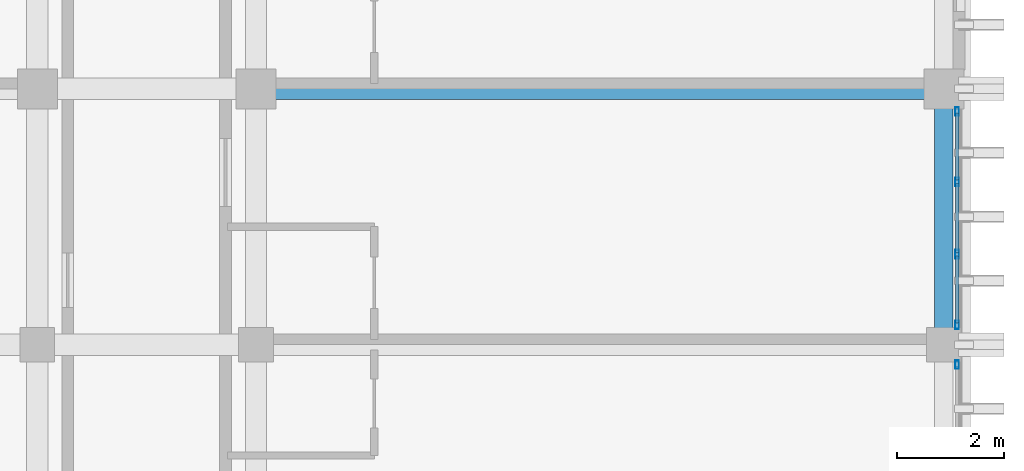
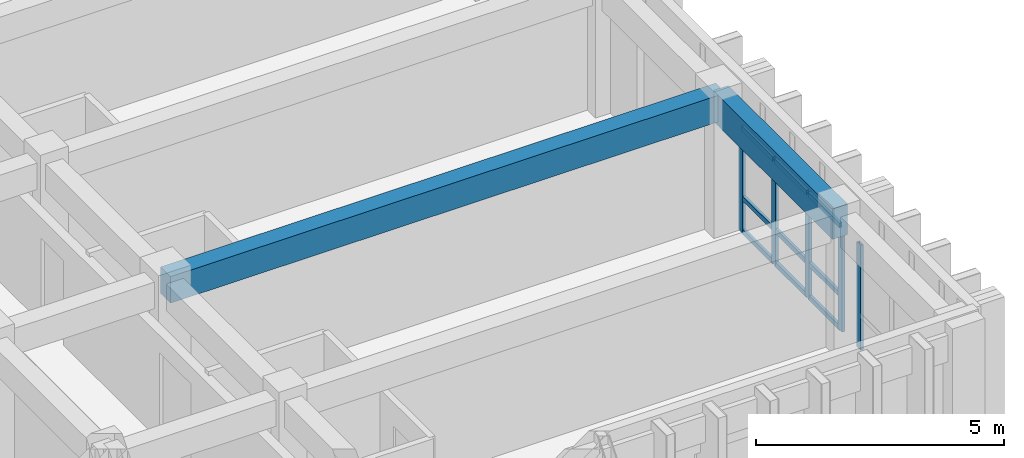
# One storey, part 8 of 64: 14 members, 2 beams, 2 elements without a shape of their own.
"""IFC4 building model written with IfcOpenShell, lengths in metres."""

from ifc_helpers import new_model, si_unit, direction, frame, origin, origin_2d, place, context, subcontext, project, spatial, rectangle, hollow_rectangle, extrude, material, layer, layer_set, material_profile, profile_set, type_object, element, aggregate, save


model = new_model("IFC4")

# Units and contexts
model_context = context("Model", 3, precision=1e-05, world=origin(), true_north=direction((0.0, 1.0)))
body_context = subcontext(model_context, "Body", "Model", "MODEL_VIEW")
ifc_project = project(units=[si_unit("LENGTHUNIT", "METRE"), si_unit("AREAUNIT", "SQUARE_METRE"), si_unit("VOLUMEUNIT", "CUBIC_METRE"), si_unit("PLANEANGLEUNIT", "RADIAN"), si_unit("MASSUNIT", "GRAM", prefix="KILO")], contexts=[model_context])

# Site, building, storey
site_placement = place(None, origin())
site = spatial("IfcSite", under=ifc_project, at=site_placement, CompositionType="ELEMENT")
building_placement = place(site_placement, origin())
building = spatial("IfcBuilding", under=site, at=building_placement, Name="Nakhvara Creek Congress Hotel", CompositionType="ELEMENT")
storey_placement = place(building_placement, frame((0.0, 0.0, 28.199951171875)))
storey = spatial("IfcBuildingStorey", under=building, at=storey_placement, Name="L06", CompositionType="ELEMENT", Elevation=28.199951171875)

# Beams
ifc_material_1 = material(Name="Concrete C40/50", Category="concrete")
ifc_material_profile_1 = material_profile(ifc_material_1, rectangle(XDim=0.39990234375, YDim=0.64990234375, at=origin_2d()), Name="RC-BM 400x650", Category="LoadBearing")
ifc_profile_set_1 = profile_set([ifc_material_profile_1], Name="Concrete C40/50")
beam_type_1 = type_object("IfcBeamType", Name="BM-RC-400X650", PredefinedType="BEAM", material=ifc_profile_set_1)
beam_1_placement = place(storey_placement, frame((166.449951171875, 48.0, 3.01513671875), z_axis=(1.0, 0.0, 0.0), x_axis=(0.0, 1.0, 0.0)))
element("IfcBeam", 1, at=beam_1_placement, inside=storey, type_object=beam_type_1, Name="Beam B06-L06-2249", PredefinedType="BEAM", context=body_context, shape_type="SweptSolid", body=[
    extrude(rectangle(XDim=0.39990234375, YDim=0.64990234375, at=origin_2d()), origin(), (0.0, 0.0, 1.0), 12.900146484375),
])
ifc_material_profile_2 = material_profile(ifc_material_1, rectangle(XDim=0.35009765625, YDim=0.75, at=origin_2d()), Name="RC-SPANDREL 350x750", Category="LoadBearing")
ifc_profile_set_2 = profile_set([ifc_material_profile_2], Name="Concrete C40/50")
beam_type_2 = type_object("IfcBeamType", Name="BM-SPN-350X750", PredefinedType="SPANDREL", material=ifc_profile_set_2)
beam_2_placement = place(storey_placement, frame((179.35009765625, 43.199951171875, 2.965087890625), z_axis=(0.0, 1.0, 0.0), x_axis=(-1.0, 0.0, 0.0)))
element("IfcBeam", 2, at=beam_2_placement, inside=storey, type_object=beam_type_2, Name="Beam SP1-L06-2276", PredefinedType="SPANDREL", context=body_context, shape_type="SweptSolid", body=[
    extrude(rectangle(XDim=0.35009765625, YDim=0.75, at=origin_2d()), origin(), (0.0, 0.0, 1.0), 4.800048828125),
])

# Curtain wall, member
ifc_material_2 = material(Name="Bronze-anodised aluminium AW-6063-T6 and double-silver low-E glass", Category="aluminium")
ifc_layer = layer(ifc_material_2, 0.199951171875)
ifc_layer_set = layer_set([ifc_layer], Name="Bronze-anodised aluminium AW-6063-T6 and double-silver low-E glass")
curtain_wall_type = type_object("IfcCurtainWallType", Name="CW-HTL-UNIT", PredefinedType="USERDEFINED", material=ifc_layer_set)
curtain_wall_1_placement = place(storey_placement, origin())
curtain_wall_1 = element("IfcCurtainWall", 3, at=curtain_wall_1_placement, inside=storey, type_object=curtain_wall_type, Name="Curtain Wall CW229", ObjectType="UNITISED", PredefinedType="USERDEFINED")
ifc_material_3 = material(Name="Bronze-anodised aluminium AW-6063-T6", Category="aluminium")
ifc_material_profile_3 = material_profile(ifc_material_3, hollow_rectangle(XDim=0.06494140625, YDim=0.159912109375, WallThickness=0.00390625, at=origin_2d()), Name="ALU-MULL 65x160x4", Category="LoadBearing")
ifc_profile_set_3 = profile_set([ifc_material_profile_3], Name="Bronze-anodised aluminium AW-6063-T6")
member_type_1 = type_object("IfcMemberType", Name="CW-MULL-160", PredefinedType="MULLION", material=ifc_profile_set_3)
member_1_placement = place(storey_placement, frame((179.60009765625, 42.827392578125, 0.0), z_axis=(0.0, 0.0, 1.0), x_axis=(1.0, 0.0, 0.0)))
member_1 = element("IfcMember", 4, at=member_1_placement, type_object=member_type_1, Name="CW229 mullion 1", PredefinedType="MULLION", context=body_context, shape_type="SweptSolid", body=[
    extrude(hollow_rectangle(XDim=0.06494140625, YDim=0.159912109375, WallThickness=0.00390625, at=origin_2d()), origin(), (0.0, 0.0, 1.0), 2.58203125),
])
aggregate(curtain_wall_1, [member_1])

# Curtain wall, members
curtain_wall_2_placement = place(storey_placement, origin())
curtain_wall_2 = element("IfcCurtainWall", 5, at=curtain_wall_2_placement, inside=storey, type_object=curtain_wall_type, Name="Curtain Wall CW231", ObjectType="UNITISED", PredefinedType="USERDEFINED")
member_2_placement = place(storey_placement, frame((179.60009765625, 47.577392578125, 0.0), z_axis=(0.0, 0.0, 1.0), x_axis=(1.0, 0.0, 0.0)))
member_2 = element("IfcMember", 6, at=member_2_placement, type_object=member_type_1, Name="CW231 mullion 1", PredefinedType="MULLION", context=body_context, shape_type="SweptSolid", body=[
    extrude(hollow_rectangle(XDim=0.06494140625, YDim=0.159912109375, WallThickness=0.00390625, at=origin_2d()), origin(), (0.0, 0.0, 1.0), 2.58203125),
])
member_3_placement = place(storey_placement, frame((179.60009765625, 46.25341796875, 0.0), z_axis=(0.0, 0.0, 1.0), x_axis=(1.0, 0.0, 0.0)))
member_3 = element("IfcMember", 7, at=member_3_placement, type_object=member_type_1, Name="CW231 mullion 2", PredefinedType="MULLION", context=body_context, shape_type="SweptSolid", body=[
    extrude(hollow_rectangle(XDim=0.06494140625, YDim=0.159912109375, WallThickness=0.00390625, at=origin_2d()), origin(), (0.0, 0.0, 1.0), 2.58203125),
])
member_4_placement = place(storey_placement, frame((179.60009765625, 44.896728515625, 0.0), z_axis=(0.0, 0.0, 1.0), x_axis=(1.0, 0.0, 0.0)))
member_4 = element("IfcMember", 8, at=member_4_placement, type_object=member_type_1, Name="CW231 mullion 3", PredefinedType="MULLION", context=body_context, shape_type="SweptSolid", body=[
    extrude(hollow_rectangle(XDim=0.06494140625, YDim=0.159912109375, WallThickness=0.00390625, at=origin_2d()), origin(), (0.0, 0.0, 1.0), 2.58203125),
])
member_5_placement = place(storey_placement, frame((179.60009765625, 43.572509765625, 0.0), z_axis=(0.0, 0.0, 1.0), x_axis=(1.0, 0.0, 0.0)))
member_5 = element("IfcMember", 9, at=member_5_placement, type_object=member_type_1, Name="CW231 mullion 4", PredefinedType="MULLION", context=body_context, shape_type="SweptSolid", body=[
    extrude(hollow_rectangle(XDim=0.06494140625, YDim=0.159912109375, WallThickness=0.00390625, at=origin_2d()), origin(), (0.0, 0.0, 1.0), 2.58203125),
])
ifc_material_profile_4 = material_profile(ifc_material_3, hollow_rectangle(XDim=0.06494140625, YDim=0.1201171875, WallThickness=0.00390625, at=origin_2d()), Name="ALU-TRAN 65x120x4", Category="LoadBearing")
ifc_profile_set_4 = profile_set([ifc_material_profile_4], Name="Bronze-anodised aluminium AW-6063-T6")
member_type_2 = type_object("IfcMemberType", Name="CW-TRAN-120", PredefinedType="USERDEFINED", material=ifc_profile_set_4)
member_6_placement = place(storey_placement, frame((179.60009765625, 47.544921875, 0.032470703125), z_axis=(0.0, -1.0, 0.0), x_axis=(1.0, 0.0, 0.0)))
member_6 = element("IfcMember", 10, at=member_6_placement, type_object=member_type_2, Name="CW231 transom 1.1", ObjectType="TRANSOM", PredefinedType="USERDEFINED", context=body_context, shape_type="SweptSolid", body=[
    extrude(hollow_rectangle(XDim=0.06494140625, YDim=0.1201171875, WallThickness=0.00390625, at=origin_2d()), origin(), (0.0, 0.0, 1.0), 1.259033203125),
])
member_7_placement = place(storey_placement, frame((179.60009765625, 47.544921875, 0.85009765625), z_axis=(0.0, -1.0, 0.0), x_axis=(1.0, 0.0, 0.0)))
member_7 = element("IfcMember", 11, at=member_7_placement, type_object=member_type_2, Name="CW231 transom 1.2", ObjectType="TRANSOM", PredefinedType="USERDEFINED", context=body_context, shape_type="SweptSolid", body=[
    extrude(hollow_rectangle(XDim=0.06494140625, YDim=0.1201171875, WallThickness=0.00390625, at=origin_2d()), origin(), (0.0, 0.0, 1.0), 1.259033203125),
])
member_8_placement = place(storey_placement, frame((179.60009765625, 47.544921875, 2.549560546875), z_axis=(0.0, -1.0, 0.0), x_axis=(1.0, 0.0, 0.0)))
member_8 = element("IfcMember", 12, at=member_8_placement, type_object=member_type_2, Name="CW231 transom 1.3", ObjectType="TRANSOM", PredefinedType="USERDEFINED", context=body_context, shape_type="SweptSolid", body=[
    extrude(hollow_rectangle(XDim=0.06494140625, YDim=0.1201171875, WallThickness=0.00390625, at=origin_2d()), origin(), (0.0, 0.0, 1.0), 1.259033203125),
])
member_9_placement = place(storey_placement, frame((179.60009765625, 46.220947265625, 0.032470703125), z_axis=(0.0, -1.0, 0.0), x_axis=(1.0, 0.0, 0.0)))
member_9 = element("IfcMember", 13, at=member_9_placement, type_object=member_type_2, Name="CW231 transom 2.1", ObjectType="TRANSOM", PredefinedType="USERDEFINED", context=body_context, shape_type="SweptSolid", body=[
    extrude(hollow_rectangle(XDim=0.06494140625, YDim=0.1201171875, WallThickness=0.00390625, at=origin_2d()), origin(), (0.0, 0.0, 1.0), 1.291748046875),
])
member_10_placement = place(storey_placement, frame((179.60009765625, 46.220947265625, 0.85009765625), z_axis=(0.0, -1.0, 0.0), x_axis=(1.0, 0.0, 0.0)))
member_10 = element("IfcMember", 14, at=member_10_placement, type_object=member_type_2, Name="CW231 transom 2.2", ObjectType="TRANSOM", PredefinedType="USERDEFINED", context=body_context, shape_type="SweptSolid", body=[
    extrude(hollow_rectangle(XDim=0.06494140625, YDim=0.1201171875, WallThickness=0.00390625, at=origin_2d()), origin(), (0.0, 0.0, 1.0), 1.291748046875),
])
member_11_placement = place(storey_placement, frame((179.60009765625, 46.220947265625, 2.549560546875), z_axis=(0.0, -1.0, 0.0), x_axis=(1.0, 0.0, 0.0)))
member_11 = element("IfcMember", 15, at=member_11_placement, type_object=member_type_2, Name="CW231 transom 2.3", ObjectType="TRANSOM", PredefinedType="USERDEFINED", context=body_context, shape_type="SweptSolid", body=[
    extrude(hollow_rectangle(XDim=0.06494140625, YDim=0.1201171875, WallThickness=0.00390625, at=origin_2d()), origin(), (0.0, 0.0, 1.0), 1.291748046875),
])
member_12_placement = place(storey_placement, frame((179.60009765625, 44.8642578125, 0.032470703125), z_axis=(0.0, -1.0, 0.0), x_axis=(1.0, 0.0, 0.0)))
member_12 = element("IfcMember", 16, at=member_12_placement, type_object=member_type_2, Name="CW231 transom 3.1", ObjectType="TRANSOM", PredefinedType="USERDEFINED", context=body_context, shape_type="SweptSolid", body=[
    extrude(hollow_rectangle(XDim=0.06494140625, YDim=0.1201171875, WallThickness=0.00390625, at=origin_2d()), origin(), (0.0, 0.0, 1.0), 1.25927734375),
])
member_13_placement = place(storey_placement, frame((179.60009765625, 44.8642578125, 0.85009765625), z_axis=(0.0, -1.0, 0.0), x_axis=(1.0, 0.0, 0.0)))
member_13 = element("IfcMember", 17, at=member_13_placement, type_object=member_type_2, Name="CW231 transom 3.2", ObjectType="TRANSOM", PredefinedType="USERDEFINED", context=body_context, shape_type="SweptSolid", body=[
    extrude(hollow_rectangle(XDim=0.06494140625, YDim=0.1201171875, WallThickness=0.00390625, at=origin_2d()), origin(), (0.0, 0.0, 1.0), 1.25927734375),
])
member_14_placement = place(storey_placement, frame((179.60009765625, 44.8642578125, 2.549560546875), z_axis=(0.0, -1.0, 0.0), x_axis=(1.0, 0.0, 0.0)))
member_14 = element("IfcMember", 18, at=member_14_placement, type_object=member_type_2, Name="CW231 transom 3.3", ObjectType="TRANSOM", PredefinedType="USERDEFINED", context=body_context, shape_type="SweptSolid", body=[
    extrude(hollow_rectangle(XDim=0.06494140625, YDim=0.1201171875, WallThickness=0.00390625, at=origin_2d()), origin(), (0.0, 0.0, 1.0), 1.25927734375),
])
aggregate(curtain_wall_2, [member_2, member_3, member_4, member_5, member_6, member_7, member_8, member_9, member_10, member_11, member_12, member_13, member_14])

save(model, "model.ifc")
